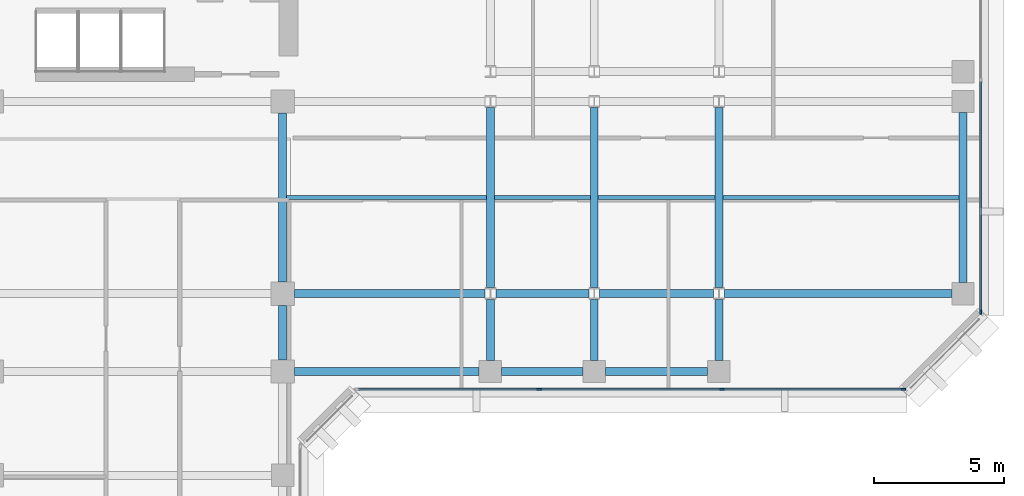
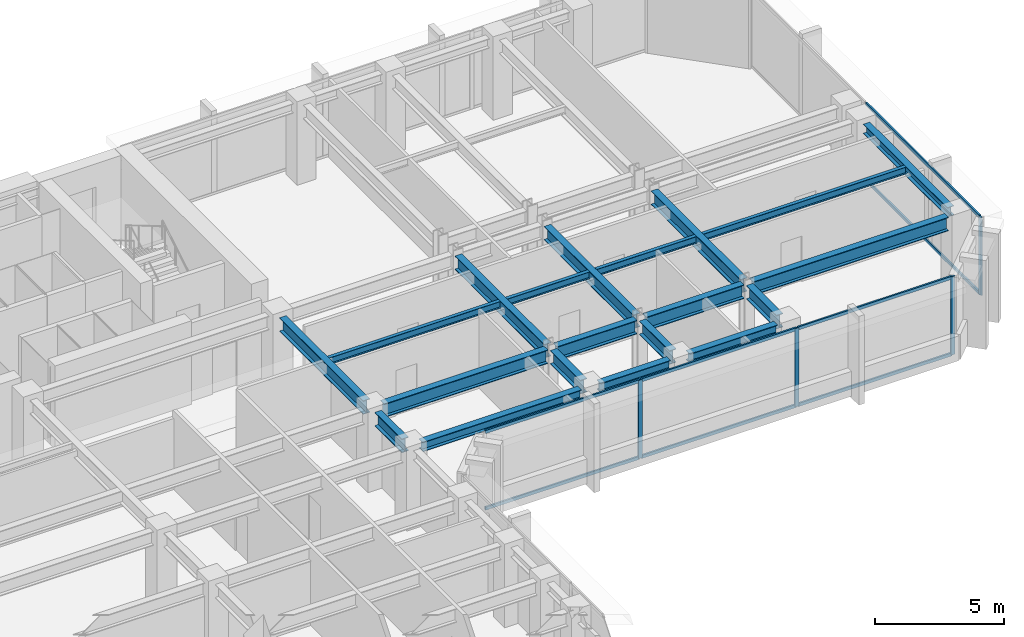
# One storey, part 3 of 12: 20 beams, 12 members, 2 elements without a shape of their own.
"""IFC4 building model written with IfcOpenShell, lengths in metres."""

from ifc_helpers import new_model, si_unit, direction, frame, origin, origin_2d, place, context, subcontext, project, spatial, rectangle, i_section, extrude, material, layer, layer_set, material_profile, profile_set, type_object, element, aggregate, save


model = new_model("IFC4")

# Units and contexts
model_context = context("Model", 3, precision=1e-05, world=origin(), true_north=direction((0.0, 1.0)))
body_context = subcontext(model_context, "Body", "Model", "MODEL_VIEW")
ifc_project = project(units=[si_unit("LENGTHUNIT", "METRE"), si_unit("AREAUNIT", "SQUARE_METRE"), si_unit("VOLUMEUNIT", "CUBIC_METRE"), si_unit("PLANEANGLEUNIT", "RADIAN"), si_unit("MASSUNIT", "GRAM", prefix="KILO")], contexts=[model_context])

# Site, building, storey
site_placement = place(None, origin())
site = spatial("IfcSite", under=ifc_project, at=site_placement, CompositionType="ELEMENT")
building_placement = place(site_placement, origin())
building = spatial("IfcBuilding", under=site, at=building_placement, Name="Kefirva Bronze Tower", CompositionType="ELEMENT")
storey_placement = place(building_placement, frame((0.0, 0.0, 122.429931640625)))
storey = spatial("IfcBuildingStorey", under=building, at=storey_placement, Name="L29", CompositionType="ELEMENT", Elevation=122.429931640625)

# Curtain wall, members
ifc_material_1 = material(Name="Bronze anodised aluminium", Category="aluminium")
ifc_layer = layer(ifc_material_1, 0.199951171875, Name="Bronze anodised aluminium")
ifc_layer_set = layer_set([ifc_layer], Name="Bronze anodised aluminium")
curtain_wall_type = type_object("IfcCurtainWallType", Name="Unitised Bronze Ribbon Curtain Wall Zone 2", PredefinedType="USERDEFINED", material=ifc_layer_set)
curtain_wall_1_placement = place(storey_placement, origin())
curtain_wall_1 = element("IfcCurtainWall", 1, at=curtain_wall_1_placement, inside=storey, type_object=curtain_wall_type, Name="L29 Curtain Wall 3", ObjectType="UNITISED CURTAIN WALL", PredefinedType="USERDEFINED")
ifc_material_profile_1 = material_profile(ifc_material_1, rectangle(XDim=0.074951171875, YDim=0.179931640625, at=origin_2d()), Name="ALU 75x180")
ifc_profile_set_1 = profile_set([ifc_material_profile_1], Name="Bronze anodised aluminium")
member_type_1 = type_object("IfcMemberType", Name="Bronze Mullion 75x180", PredefinedType="MULLION", material=ifc_profile_set_1)
member_1_placement = place(storey_placement, frame((33.0849609375, 22.1201171875, 0.0), z_axis=(0.0, 0.0, 1.0), x_axis=(0.0, 1.0, 0.0)))
member_1 = element("IfcMember", 2, at=member_1_placement, type_object=member_type_1, Name="CW-02 mullion 2", PredefinedType="MULLION", context=body_context, shape_type="SweptSolid", body=[
    extrude(rectangle(XDim=0.074951171875, YDim=0.179931640625, at=origin_2d()), origin(), (0.0, 0.0, 1.0), 3.7099609375),
])
member_2_placement = place(storey_placement, frame((40.114990234375, 22.1201171875, 0.0), z_axis=(0.0, 0.0, 1.0), x_axis=(0.0, 1.0, 0.0)))
member_2 = element("IfcMember", 3, at=member_2_placement, type_object=member_type_1, Name="CW-02 mullion 3", PredefinedType="MULLION", context=body_context, shape_type="SweptSolid", body=[
    extrude(rectangle(XDim=0.074951171875, YDim=0.179931640625, at=origin_2d()), origin(), (0.0, 0.0, 1.0), 3.7099609375),
])
member_3_placement = place(storey_placement, frame((47.107421875, 22.1201171875, 0.0), z_axis=(0.0, 0.0, 1.0), x_axis=(0.0, 1.0, 0.0)))
member_3 = element("IfcMember", 4, at=member_3_placement, type_object=member_type_1, Name="CW-02 mullion 4", PredefinedType="MULLION", context=body_context, shape_type="SweptSolid", body=[
    extrude(rectangle(XDim=0.074951171875, YDim=0.179931640625, at=origin_2d()), origin(), (0.0, 0.0, 1.0), 3.7099609375),
])

# Curtain wall, member
curtain_wall_2_placement = place(storey_placement, origin())
curtain_wall_2 = element("IfcCurtainWall", 5, at=curtain_wall_2_placement, inside=storey, type_object=curtain_wall_type, Name="L29 Curtain Wall 4", ObjectType="UNITISED CURTAIN WALL", PredefinedType="USERDEFINED")
member_4_placement = place(storey_placement, frame((50.080078125, 25.092529296875, 0.0), z_axis=(0.0, 0.0, 1.0), x_axis=(-1.0, 0.0, 0.0)))
member_4 = element("IfcMember", 6, at=member_4_placement, type_object=member_type_1, Name="CW-02 mullion 1", PredefinedType="MULLION", context=body_context, shape_type="SweptSolid", body=[
    extrude(rectangle(XDim=0.074951171875, YDim=0.179931640625, at=origin_2d()), origin(), (0.0, 0.0, 1.0), 3.7099609375),
])

# Member
ifc_material_profile_2 = material_profile(ifc_material_1, rectangle(XDim=0.074951171875, YDim=0.14990234375, at=origin_2d()), Name="ALU 75x150")
ifc_profile_set_2 = profile_set([ifc_material_profile_2], Name="Bronze anodised aluminium")
member_type_2 = type_object("IfcMemberType", Name="Bronze Transom 75x150", PredefinedType="USERDEFINED", material=ifc_profile_set_2)
member_5_placement = place(storey_placement, frame((26.1298828125, 22.1201171875, 0.03759765625), z_axis=(1.0, 0.0, 0.0), x_axis=(0.0, 1.0, 0.0)))
member_5 = element("IfcMember", 7, at=member_5_placement, type_object=member_type_2, Name="CW-02 transom 1.1", ObjectType="TRANSOM", PredefinedType="USERDEFINED", context=body_context, shape_type="SweptSolid", body=[
    extrude(rectangle(XDim=0.074951171875, YDim=0.14990234375, at=origin_2d()), origin(), (0.0, 0.0, 1.0), 6.917724609375),
])

member_6_placement = place(storey_placement, frame((26.1298828125, 22.1201171875, 3.672607421875), z_axis=(1.0, 0.0, 0.0), x_axis=(0.0, 1.0, 0.0)))
member_6 = element("IfcMember", 8, at=member_6_placement, type_object=member_type_2, Name="CW-02 transom 1.2", ObjectType="TRANSOM", PredefinedType="USERDEFINED", context=body_context, shape_type="SweptSolid", body=[
    extrude(rectangle(XDim=0.074951171875, YDim=0.14990234375, at=origin_2d()), origin(), (0.0, 0.0, 1.0), 6.917724609375),
])

member_7_placement = place(storey_placement, frame((33.12255859375, 22.1201171875, 0.03759765625), z_axis=(1.0, 0.0, 0.0), x_axis=(0.0, 1.0, 0.0)))
member_7 = element("IfcMember", 9, at=member_7_placement, type_object=member_type_2, Name="CW-02 transom 2.1", ObjectType="TRANSOM", PredefinedType="USERDEFINED", context=body_context, shape_type="SweptSolid", body=[
    extrude(rectangle(XDim=0.074951171875, YDim=0.14990234375, at=origin_2d()), origin(), (0.0, 0.0, 1.0), 6.954833984375),
])

member_8_placement = place(storey_placement, frame((33.12255859375, 22.1201171875, 3.672607421875), z_axis=(1.0, 0.0, 0.0), x_axis=(0.0, 1.0, 0.0)))
member_8 = element("IfcMember", 10, at=member_8_placement, type_object=member_type_2, Name="CW-02 transom 2.2", ObjectType="TRANSOM", PredefinedType="USERDEFINED", context=body_context, shape_type="SweptSolid", body=[
    extrude(rectangle(XDim=0.074951171875, YDim=0.14990234375, at=origin_2d()), origin(), (0.0, 0.0, 1.0), 6.954833984375),
])

member_9_placement = place(storey_placement, frame((40.152587890625, 22.1201171875, 0.03759765625), z_axis=(1.0, 0.0, 0.0), x_axis=(0.0, 1.0, 0.0)))
member_9 = element("IfcMember", 11, at=member_9_placement, type_object=member_type_2, Name="CW-02 transom 3.1", ObjectType="TRANSOM", PredefinedType="USERDEFINED", context=body_context, shape_type="SweptSolid", body=[
    extrude(rectangle(XDim=0.074951171875, YDim=0.14990234375, at=origin_2d()), origin(), (0.0, 0.0, 1.0), 6.91748046875),
])

member_10_placement = place(storey_placement, frame((40.152587890625, 22.1201171875, 3.672607421875), z_axis=(1.0, 0.0, 0.0), x_axis=(0.0, 1.0, 0.0)))
member_10 = element("IfcMember", 12, at=member_10_placement, type_object=member_type_2, Name="CW-02 transom 3.2", ObjectType="TRANSOM", PredefinedType="USERDEFINED", context=body_context, shape_type="SweptSolid", body=[
    extrude(rectangle(XDim=0.074951171875, YDim=0.14990234375, at=origin_2d()), origin(), (0.0, 0.0, 1.0), 6.91748046875),
])

aggregate(curtain_wall_1, [member_1, member_2, member_3, member_5, member_6, member_7, member_8, member_9, member_10])

member_11_placement = place(storey_placement, frame((50.080078125, 25.1298828125, 0.03759765625), z_axis=(0.0, 1.0, 0.0), x_axis=(-1.0, 0.0, 0.0)))
member_11 = element("IfcMember", 13, at=member_11_placement, type_object=member_type_2, Name="CW-02 transom 1.1", ObjectType="TRANSOM", PredefinedType="USERDEFINED", context=body_context, shape_type="SweptSolid", body=[
    extrude(rectangle(XDim=0.074951171875, YDim=0.14990234375, at=origin_2d()), origin(), (0.0, 0.0, 1.0), 8.83251953125),
])

member_12_placement = place(storey_placement, frame((50.080078125, 25.1298828125, 3.672607421875), z_axis=(0.0, 1.0, 0.0), x_axis=(-1.0, 0.0, 0.0)))
member_12 = element("IfcMember", 14, at=member_12_placement, type_object=member_type_2, Name="CW-02 transom 1.2", ObjectType="TRANSOM", PredefinedType="USERDEFINED", context=body_context, shape_type="SweptSolid", body=[
    extrude(rectangle(XDim=0.074951171875, YDim=0.14990234375, at=origin_2d()), origin(), (0.0, 0.0, 1.0), 8.83251953125),
])

aggregate(curtain_wall_2, [member_4, member_11, member_12])

# Beams
ifc_material_2 = material(Name="Steel S355", Category="steel")
ifc_material_profile_3 = material_profile(ifc_material_2, i_section(OverallWidth=0.159912109375, OverallDepth=0.330078125, WebThickness=0.007568359375, FlangeThickness=0.011474609375, at=origin_2d()), Name="IPE 330")
ifc_profile_set_3 = profile_set([ifc_material_profile_3], Name="Steel S355")
beam_type_1 = type_object("IfcBeamType", Name="Steel Floor Joist IPE 330", PredefinedType="JOIST", material=ifc_profile_set_3)
beam_1_placement = place(storey_placement, frame((23.35009765625, 29.5, 3.545166015625), z_axis=(1.0, 0.0, 0.0), x_axis=(0.0, 1.0, 0.0)))
element("IfcBeam", 15, at=beam_1_placement, inside=storey, type_object=beam_type_1, Name="L29 JST-L29-23-295", PredefinedType="JOIST", context=body_context, shape_type="SweptSolid", body=[
    extrude(i_section(OverallWidth=0.159912109375, OverallDepth=0.330078125, WebThickness=0.007568359375, FlangeThickness=0.011474609375, at=origin_2d()), origin(), (0.0, 0.0, 1.0), 7.699951171875),
])
beam_2_placement = place(storey_placement, frame((31.35009765625, 29.5, 3.545166015625), z_axis=(1.0, 0.0, 0.0), x_axis=(0.0, 1.0, 0.0)))
element("IfcBeam", 16, at=beam_2_placement, inside=storey, type_object=beam_type_1, Name="L29 JST-L29-31-295", PredefinedType="JOIST", context=body_context, shape_type="SweptSolid", body=[
    extrude(i_section(OverallWidth=0.159912109375, OverallDepth=0.330078125, WebThickness=0.007568359375, FlangeThickness=0.011474609375, at=origin_2d()), origin(), (0.0, 0.0, 1.0), 3.699951171875),
])
beam_3_placement = place(storey_placement, frame((35.35009765625, 29.5, 3.545166015625), z_axis=(1.0, 0.0, 0.0), x_axis=(0.0, 1.0, 0.0)))
element("IfcBeam", 17, at=beam_3_placement, inside=storey, type_object=beam_type_1, Name="L29 JST-L29-35-295", PredefinedType="JOIST", context=body_context, shape_type="SweptSolid", body=[
    extrude(i_section(OverallWidth=0.159912109375, OverallDepth=0.330078125, WebThickness=0.007568359375, FlangeThickness=0.011474609375, at=origin_2d()), origin(), (0.0, 0.0, 1.0), 4.5),
])
beam_4_placement = place(storey_placement, frame((40.14990234375, 29.5, 3.545166015625), z_axis=(1.0, 0.0, 0.0), x_axis=(0.0, 1.0, 0.0)))
element("IfcBeam", 18, at=beam_4_placement, inside=storey, type_object=beam_type_1, Name="L29 JST-L29-40-295", PredefinedType="JOIST", context=body_context, shape_type="SweptSolid", body=[
    extrude(i_section(OverallWidth=0.159912109375, OverallDepth=0.330078125, WebThickness=0.007568359375, FlangeThickness=0.011474609375, at=origin_2d()), origin(), (0.0, 0.0, 1.0), 9.10009765625),
])
ifc_material_profile_4 = material_profile(ifc_material_2, i_section(OverallWidth=0.300048828125, OverallDepth=0.64990234375, WebThickness=0.01611328125, FlangeThickness=0.031005859375, at=origin_2d()), Name="HEB 650")
ifc_profile_set_4 = profile_set([ifc_material_profile_4], Name="Steel S355")
beam_type_2 = type_object("IfcBeamType", Name="Steel Girder HEB 650", PredefinedType="USERDEFINED", material=ifc_profile_set_4)
beam_5_placement = place(storey_placement, frame((23.64990234375, 25.800048828125, 3.385009765625), z_axis=(1.0, 0.0, 0.0), x_axis=(0.0, 1.0, 0.0)))
element("IfcBeam", 19, at=beam_5_placement, inside=storey, type_object=beam_type_2, Name="L29 BM-L29-EW-23-258", ObjectType="GIRDER", PredefinedType="USERDEFINED", context=body_context, shape_type="SweptSolid", body=[
    extrude(i_section(OverallWidth=0.300048828125, OverallDepth=0.64990234375, WebThickness=0.01611328125, FlangeThickness=0.031005859375, at=origin_2d()), origin(), (0.0, 0.0, 1.0), 7.341064453125),
])
beam_6_placement = place(storey_placement, frame((31.408935546875, 25.800048828125, 3.385009765625), z_axis=(1.0, 0.0, 0.0), x_axis=(0.0, 1.0, 0.0)))
element("IfcBeam", 20, at=beam_6_placement, inside=storey, type_object=beam_type_2, Name="L29 BM-L29-EW-31-258", ObjectType="GIRDER", PredefinedType="USERDEFINED", context=body_context, shape_type="SweptSolid", body=[
    extrude(i_section(OverallWidth=0.300048828125, OverallDepth=0.64990234375, WebThickness=0.01611328125, FlangeThickness=0.031005859375, at=origin_2d()), origin(), (0.0, 0.0, 1.0), 3.58203125),
])
beam_7_placement = place(storey_placement, frame((35.408935546875, 25.800048828125, 3.385009765625), z_axis=(1.0, 0.0, 0.0), x_axis=(0.0, 1.0, 0.0)))
element("IfcBeam", 21, at=beam_7_placement, inside=storey, type_object=beam_type_2, Name="L29 BM-L29-EW-35-258", ObjectType="GIRDER", PredefinedType="USERDEFINED", context=body_context, shape_type="SweptSolid", body=[
    extrude(i_section(OverallWidth=0.300048828125, OverallDepth=0.64990234375, WebThickness=0.01611328125, FlangeThickness=0.031005859375, at=origin_2d()), origin(), (0.0, 0.0, 1.0), 4.382080078125),
])
beam_8_placement = place(storey_placement, frame((40.208984375, 25.800048828125, 3.385009765625), z_axis=(1.0, 0.0, 0.0), x_axis=(0.0, 1.0, 0.0)))
element("IfcBeam", 22, at=beam_8_placement, inside=storey, type_object=beam_type_2, Name="L29 BM-L29-EW-40-258", ObjectType="GIRDER", PredefinedType="USERDEFINED", context=body_context, shape_type="SweptSolid", body=[
    extrude(i_section(OverallWidth=0.300048828125, OverallDepth=0.64990234375, WebThickness=0.01611328125, FlangeThickness=0.031005859375, at=origin_2d()), origin(), (0.0, 0.0, 1.0), 8.760986328125),
])
beam_9_placement = place(storey_placement, frame((23.199951171875, 23.25, 3.385009765625), z_axis=(0.0, 1.0, 0.0), x_axis=(-1.0, 0.0, 0.0)))
element("IfcBeam", 23, at=beam_9_placement, inside=storey, type_object=beam_type_2, Name="L29 BM-L29-NS-232-22", ObjectType="GIRDER", PredefinedType="USERDEFINED", context=body_context, shape_type="SweptSolid", body=[
    extrude(i_section(OverallWidth=0.300048828125, OverallDepth=0.64990234375, WebThickness=0.01611328125, FlangeThickness=0.031005859375, at=origin_2d()), origin(), (0.0, 0.0, 1.0), 2.10009765625),
])
beam_10_placement = place(storey_placement, frame((23.199951171875, 26.25, 3.385009765625), z_axis=(0.0, 1.0, 0.0), x_axis=(-1.0, 0.0, 0.0)))
element("IfcBeam", 24, at=beam_10_placement, inside=storey, type_object=beam_type_2, Name="L29 BM-L29-NS-232-25", ObjectType="GIRDER", PredefinedType="USERDEFINED", context=body_context, shape_type="SweptSolid", body=[
    extrude(i_section(OverallWidth=0.300048828125, OverallDepth=0.64990234375, WebThickness=0.01611328125, FlangeThickness=0.031005859375, at=origin_2d()), origin(), (0.0, 0.0, 1.0), 6.5),
])
beam_11_placement = place(storey_placement, frame((31.199951171875, 23.22998046875, 3.385009765625), z_axis=(0.0, 1.0, 0.0), x_axis=(-1.0, 0.0, 0.0)))
element("IfcBeam", 25, at=beam_11_placement, inside=storey, type_object=beam_type_2, Name="L29 BM-L29-NS-312-22", ObjectType="GIRDER", PredefinedType="USERDEFINED", context=body_context, shape_type="SweptSolid", body=[
    extrude(i_section(OverallWidth=0.300048828125, OverallDepth=0.64990234375, WebThickness=0.01611328125, FlangeThickness=0.031005859375, at=origin_2d()), origin(), (0.0, 0.0, 1.0), 2.342529296875),
])
beam_12_placement = place(storey_placement, frame((31.199951171875, 26.027587890625, 3.385009765625), z_axis=(0.0, 1.0, 0.0), x_axis=(-1.0, 0.0, 0.0)))
element("IfcBeam", 26, at=beam_12_placement, inside=storey, type_object=beam_type_2, Name="L29 BM-L29-NS-312-25", ObjectType="GIRDER", PredefinedType="USERDEFINED", context=body_context, shape_type="SweptSolid", body=[
    extrude(i_section(OverallWidth=0.300048828125, OverallDepth=0.64990234375, WebThickness=0.01611328125, FlangeThickness=0.031005859375, at=origin_2d()), origin(), (0.0, 0.0, 1.0), 6.94482421875),
])
beam_13_placement = place(storey_placement, frame((35.199951171875, 23.22998046875, 3.385009765625), z_axis=(0.0, 1.0, 0.0), x_axis=(-1.0, 0.0, 0.0)))
element("IfcBeam", 27, at=beam_13_placement, inside=storey, type_object=beam_type_2, Name="L29 BM-L29-NS-352-22", ObjectType="GIRDER", PredefinedType="USERDEFINED", context=body_context, shape_type="SweptSolid", body=[
    extrude(i_section(OverallWidth=0.300048828125, OverallDepth=0.64990234375, WebThickness=0.01611328125, FlangeThickness=0.031005859375, at=origin_2d()), origin(), (0.0, 0.0, 1.0), 2.342529296875),
])
beam_14_placement = place(storey_placement, frame((35.199951171875, 26.027587890625, 3.385009765625), z_axis=(0.0, 1.0, 0.0), x_axis=(-1.0, 0.0, 0.0)))
element("IfcBeam", 28, at=beam_14_placement, inside=storey, type_object=beam_type_2, Name="L29 BM-L29-NS-352-25", ObjectType="GIRDER", PredefinedType="USERDEFINED", context=body_context, shape_type="SweptSolid", body=[
    extrude(i_section(OverallWidth=0.300048828125, OverallDepth=0.64990234375, WebThickness=0.01611328125, FlangeThickness=0.031005859375, at=origin_2d()), origin(), (0.0, 0.0, 1.0), 6.94482421875),
])
beam_15_placement = place(storey_placement, frame((40.0, 23.22998046875, 3.385009765625), z_axis=(0.0, 1.0, 0.0), x_axis=(-1.0, 0.0, 0.0)))
element("IfcBeam", 29, at=beam_15_placement, inside=storey, type_object=beam_type_2, Name="L29 BM-L29-NS-400-22", ObjectType="GIRDER", PredefinedType="USERDEFINED", context=body_context, shape_type="SweptSolid", body=[
    extrude(i_section(OverallWidth=0.300048828125, OverallDepth=0.64990234375, WebThickness=0.01611328125, FlangeThickness=0.031005859375, at=origin_2d()), origin(), (0.0, 0.0, 1.0), 2.342529296875),
])
beam_16_placement = place(storey_placement, frame((40.0, 26.027587890625, 3.385009765625), z_axis=(0.0, 1.0, 0.0), x_axis=(-1.0, 0.0, 0.0)))
element("IfcBeam", 30, at=beam_16_placement, inside=storey, type_object=beam_type_2, Name="L29 BM-L29-NS-400-25", ObjectType="GIRDER", PredefinedType="USERDEFINED", context=body_context, shape_type="SweptSolid", body=[
    extrude(i_section(OverallWidth=0.300048828125, OverallDepth=0.64990234375, WebThickness=0.01611328125, FlangeThickness=0.031005859375, at=origin_2d()), origin(), (0.0, 0.0, 1.0), 6.94482421875),
])
ifc_material_profile_5 = material_profile(ifc_material_2, i_section(OverallWidth=0.300048828125, OverallDepth=0.449951171875, WebThickness=0.013916015625, FlangeThickness=0.02587890625, at=origin_2d()), Name="HEB 450")
ifc_profile_set_5 = profile_set([ifc_material_profile_5], Name="Steel S355")
beam_type_3 = type_object("IfcBeamType", Name="Steel Spandrel HEB 450 Ext", PredefinedType="SPANDREL", material=ifc_profile_set_5)
beam_17_placement = place(storey_placement, frame((23.64990234375, 22.800048828125, 3.485107421875), z_axis=(1.0, 0.0, 0.0), x_axis=(0.0, 1.0, 0.0)))
element("IfcBeam", 31, at=beam_17_placement, inside=storey, type_object=beam_type_3, Name="L29 BM-L29-EW-23-228", PredefinedType="SPANDREL", context=body_context, shape_type="SweptSolid", body=[
    extrude(i_section(OverallWidth=0.300048828125, OverallDepth=0.449951171875, WebThickness=0.013916015625, FlangeThickness=0.02587890625, at=origin_2d()), origin(), (0.0, 0.0, 1.0), 7.1201171875),
])
beam_18_placement = place(storey_placement, frame((31.6298828125, 22.800048828125, 3.485107421875), z_axis=(1.0, 0.0, 0.0), x_axis=(0.0, 1.0, 0.0)))
element("IfcBeam", 32, at=beam_18_placement, inside=storey, type_object=beam_type_3, Name="L29 BM-L29-EW-31-228", PredefinedType="SPANDREL", context=body_context, shape_type="SweptSolid", body=[
    extrude(i_section(OverallWidth=0.300048828125, OverallDepth=0.449951171875, WebThickness=0.013916015625, FlangeThickness=0.02587890625, at=origin_2d()), origin(), (0.0, 0.0, 1.0), 3.14013671875),
])
beam_19_placement = place(storey_placement, frame((35.6298828125, 22.800048828125, 3.485107421875), z_axis=(1.0, 0.0, 0.0), x_axis=(0.0, 1.0, 0.0)))
element("IfcBeam", 33, at=beam_19_placement, inside=storey, type_object=beam_type_3, Name="L29 BM-L29-EW-35-228", PredefinedType="SPANDREL", context=body_context, shape_type="SweptSolid", body=[
    extrude(i_section(OverallWidth=0.300048828125, OverallDepth=0.449951171875, WebThickness=0.013916015625, FlangeThickness=0.02587890625, at=origin_2d()), origin(), (0.0, 0.0, 1.0), 3.940185546875),
])
beam_20_placement = place(storey_placement, frame((49.39990234375, 26.22998046875, 3.485107421875), z_axis=(0.0, 1.0, 0.0), x_axis=(-1.0, 0.0, 0.0)))
element("IfcBeam", 34, at=beam_20_placement, inside=storey, type_object=beam_type_3, Name="L29 BM-L29-NS-494-25", PredefinedType="SPANDREL", context=body_context, shape_type="SweptSolid", body=[
    extrude(i_section(OverallWidth=0.300048828125, OverallDepth=0.449951171875, WebThickness=0.013916015625, FlangeThickness=0.02587890625, at=origin_2d()), origin(), (0.0, 0.0, 1.0), 6.5400390625),
])

save(model, "model.ifc")
